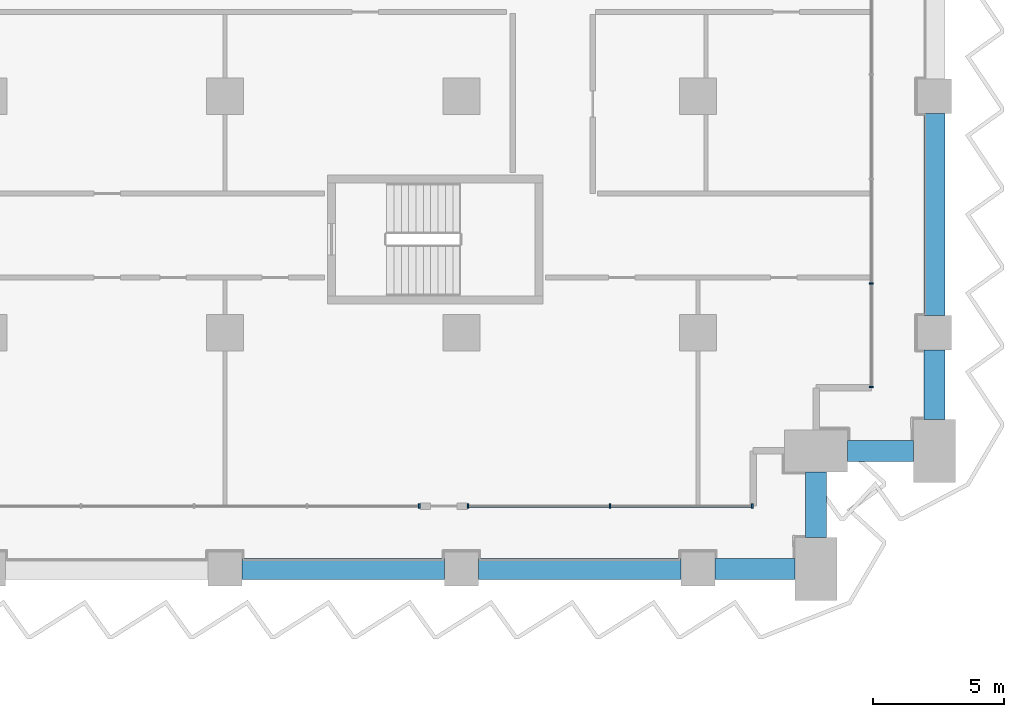
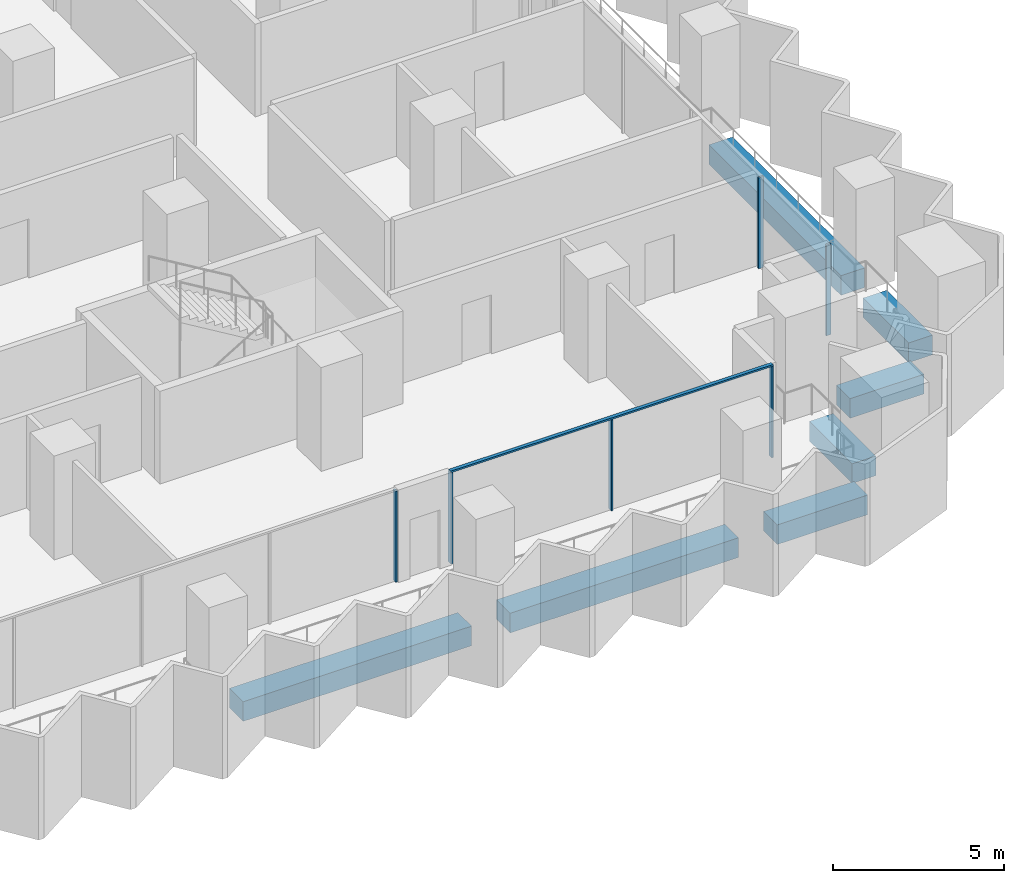
# One storey, part 6 of 28: 7 beams, 7 members, 3 elements without a shape of their own.
"""IFC4 building model written with IfcOpenShell, lengths in metres."""

from ifc_helpers import new_model, si_unit, direction, frame, origin, origin_2d, place, context, subcontext, project, spatial, rectangle, extrude, material, material_profile, profile_set, type_object, element, aggregate, save


model = new_model("IFC4")

# Units and contexts
model_context = context("Model", 3, precision=1e-05, world=origin(), true_north=direction((0.0, 1.0)))
body_context = subcontext(model_context, "Body", "Model", "MODEL_VIEW")
ifc_project = project(units=[si_unit("LENGTHUNIT", "METRE"), si_unit("AREAUNIT", "SQUARE_METRE"), si_unit("VOLUMEUNIT", "CUBIC_METRE"), si_unit("PLANEANGLEUNIT", "RADIAN"), si_unit("MASSUNIT", "GRAM", prefix="KILO")], contexts=[model_context])

# Site, building, storey
site_placement = place(None, origin())
site = spatial("IfcSite", under=ifc_project, at=site_placement, CompositionType="ELEMENT")
building_placement = place(site_placement, origin())
building = spatial("IfcBuilding", under=site, at=building_placement, Name="Hunhe Ridgeline Campus", CompositionType="ELEMENT")
storey_placement = place(building_placement, frame((0.0, 0.0, 72.800048828125)))
storey = spatial("IfcBuildingStorey", under=building, at=storey_placement, Name="L17", CompositionType="ELEMENT", Elevation=72.800048828125)

# Curtain wall, member
ifc_material_1 = material(Name="Aluminium 6063", Category="aluminium")
curtain_wall_type = type_object("IfcCurtainWallType", Name="Curtain wall CW-1", PredefinedType="NOTDEFINED", material=ifc_material_1)
curtain_wall_1_placement = place(storey_placement, origin())
curtain_wall_1 = element("IfcCurtainWall", 1, at=curtain_wall_1_placement, inside=storey, type_object=curtain_wall_type, Name="Curtain wall 13", PredefinedType="NOTDEFINED")
ifc_material_profile_1 = material_profile(ifc_material_1, rectangle(XDim=0.159912109375, YDim=0.06005859375, at=origin_2d()))
ifc_profile_set_1 = profile_set([ifc_material_profile_1], Name="Aluminium 6063")
member_type_1 = type_object("IfcMemberType", Name="CW-1 aluminium mullion", PredefinedType="MULLION", material=ifc_profile_set_1)
member_1_placement = place(storey_placement, frame((79.39404296875, 56.40087890625, 0.0), z_axis=(0.0, 0.0, 1.0), x_axis=(-3.602063e-06, 0.999999999994, 0.0)))
member_1 = element("IfcMember", 2, at=member_1_placement, type_object=member_type_1, Name="CW-1 mullion 9", PredefinedType="MULLION", context=body_context, shape_type="SweptSolid", body=[
    extrude(rectangle(XDim=0.159912109375, YDim=0.06005859375, at=origin_2d()), origin(), (0.0, 0.0, 1.0), 3.239990234375),
])
aggregate(curtain_wall_1, [member_1])

# Curtain wall, members
curtain_wall_2_placement = place(storey_placement, origin())
curtain_wall_2 = element("IfcCurtainWall", 3, at=curtain_wall_2_placement, inside=storey, type_object=curtain_wall_type, Name="Curtain wall 14", PredefinedType="NOTDEFINED")
member_2_placement = place(storey_placement, frame((81.254150390625, 56.40087890625, 0.0), z_axis=(0.0, 0.0, 1.0), x_axis=(-3.58625e-06, 0.999999999994, 0.0)))
member_2 = element("IfcMember", 4, at=member_2_placement, type_object=member_type_1, Name="CW-1 mullion 1", PredefinedType="MULLION", context=body_context, shape_type="SweptSolid", body=[
    extrude(rectangle(XDim=0.159912109375, YDim=0.06005859375, at=origin_2d()), origin(), (0.0, 0.0, 1.0), 3.239990234375),
])
member_3_placement = place(storey_placement, frame((86.66162109375, 56.40087890625, 0.0), z_axis=(0.0, 0.0, 1.0), x_axis=(-3.58625e-06, 0.999999999994, 0.0)))
member_3 = element("IfcMember", 5, at=member_3_placement, type_object=member_type_1, Name="CW-1 mullion 2", PredefinedType="MULLION", context=body_context, shape_type="SweptSolid", body=[
    extrude(rectangle(XDim=0.159912109375, YDim=0.06005859375, at=origin_2d()), origin(), (0.0, 0.0, 1.0), 3.239990234375),
])
member_4_placement = place(storey_placement, frame((92.069091796875, 56.40087890625, 0.0), z_axis=(0.0, 0.0, 1.0), x_axis=(-3.58625e-06, 0.999999999994, 0.0)))
member_4 = element("IfcMember", 6, at=member_4_placement, type_object=member_type_1, Name="CW-1 mullion 3", PredefinedType="MULLION", context=body_context, shape_type="SweptSolid", body=[
    extrude(rectangle(XDim=0.159912109375, YDim=0.06005859375, at=origin_2d()), origin(), (0.0, 0.0, 1.0), 3.239990234375),
])

curtain_wall_3_placement = place(storey_placement, origin())
curtain_wall_3 = element("IfcCurtainWall", 7, at=curtain_wall_3_placement, inside=storey, type_object=curtain_wall_type, Name="Curtain wall 15", PredefinedType="NOTDEFINED")
member_5_placement = place(storey_placement, frame((96.59912109375, 60.930908203125, 0.0), z_axis=(0.0, 0.0, 1.0), x_axis=(-1.0, 0.0, 0.0)))
member_5 = element("IfcMember", 8, at=member_5_placement, type_object=member_type_1, Name="CW-1 mullion 1", PredefinedType="MULLION", context=body_context, shape_type="SweptSolid", body=[
    extrude(rectangle(XDim=0.159912109375, YDim=0.06005859375, at=origin_2d()), origin(), (0.0, 0.0, 1.0), 3.239990234375),
])
member_6_placement = place(storey_placement, frame((96.59912109375, 64.8759765625, 0.0), z_axis=(0.0, 0.0, 1.0), x_axis=(-1.0, 0.0, 0.0)))
member_6 = element("IfcMember", 9, at=member_6_placement, type_object=member_type_1, Name="CW-1 mullion 2", PredefinedType="MULLION", context=body_context, shape_type="SweptSolid", body=[
    extrude(rectangle(XDim=0.159912109375, YDim=0.06005859375, at=origin_2d()), origin(), (0.0, 0.0, 1.0), 3.239990234375),
])
aggregate(curtain_wall_3, [member_5, member_6])

# Member
ifc_material_profile_2 = material_profile(ifc_material_1, rectangle(XDim=0.1201171875, YDim=0.06005859375, at=origin_2d()))
ifc_profile_set_2 = profile_set([ifc_material_profile_2], Name="Aluminium 6063")
member_type_2 = type_object("IfcMemberType", Name="CW-1 aluminium transom", PredefinedType="USERDEFINED", material=ifc_profile_set_2)
member_7_placement = place(storey_placement, frame((81.22412109375, 56.40087890625, 3.27001953125), z_axis=(1.0, 0.0, 0.0), x_axis=(0.0, 1.0, 0.0)))
member_7 = element("IfcMember", 10, at=member_7_placement, type_object=member_type_2, Name="CW-1 transom 1", ObjectType="TRANSOM", PredefinedType="USERDEFINED", context=body_context, shape_type="SweptSolid", body=[
    extrude(rectangle(XDim=0.1201171875, YDim=0.06005859375, at=origin_2d()), origin(), (0.0, 0.0, 1.0), 10.875),
])

aggregate(curtain_wall_2, [member_7, member_2, member_3, member_4])

# Beams
ifc_material_2 = material(Name="Concrete C60", Category="concrete")
ifc_material_profile_3 = material_profile(ifc_material_2, rectangle(XDim=0.800048828125, YDim=0.699951171875, at=origin_2d()))
ifc_profile_set_3 = profile_set([ifc_material_profile_3], Name="Concrete C60")
beam_type = type_object("IfcBeamType", Name="RC spandrel beam 800x700 Concrete C60", PredefinedType="SPANDREL", material=ifc_profile_set_3)
for number, where, z_axis, x_axis, name in (
    (11, (72.64990234375, 54.0, -0.60009765625), (1.0, 0.0, 0.0), (0.0, 1.0, 0.0), "Spandrel beam B1-15 L17"),
    (12, (81.64990234375, 54.0, -0.60009765625), (1.0, 0.0, 0.0), (0.0, 1.0, 0.0), "Spandrel beam B1-16 L17"),
):
    element("IfcBeam", number, at=place(storey_placement, frame(where, z_axis=z_axis, x_axis=x_axis)), inside=storey, type_object=beam_type, Name=name, PredefinedType="SPANDREL", context=body_context, shape_type="SweptSolid", body=[
        extrude(rectangle(XDim=0.800048828125, YDim=0.699951171875, at=origin_2d()), origin(), (0.0, 0.0, 1.0), 7.7001953125),
    ])
beam_1_placement = place(storey_placement, frame((90.64990234375, 54.0, -0.60009765625), z_axis=(1.0, 0.0, 0.0), x_axis=(0.0, 1.0, 0.0)))
element("IfcBeam", 13, at=beam_1_placement, inside=storey, type_object=beam_type, Name="Spandrel beam B1-17 L17", PredefinedType="SPANDREL", context=body_context, shape_type="SweptSolid", body=[
    extrude(rectangle(XDim=0.800048828125, YDim=0.699951171875, at=origin_2d()), origin(), (0.0, 0.0, 1.0), 3.050048828125),
])
for number, where, z_axis, x_axis, name in (
    (14, (94.5, 55.199951171875, -0.60009765625), (0.0, 1.0, 0.0), (-1.0, 0.0, 0.0), "Spandrel beam B1-18 L17"),
    (15, (95.699951171875, 58.5, -0.60009765625), (1.0, 0.0, 0.0), (0.0, 1.0, 0.0), "Spandrel beam B1-19 L17"),
):
    element("IfcBeam", number, at=place(storey_placement, frame(where, z_axis=z_axis, x_axis=x_axis)), inside=storey, type_object=beam_type, Name=name, PredefinedType="SPANDREL", context=body_context, shape_type="SweptSolid", body=[
        extrude(rectangle(XDim=0.800048828125, YDim=0.699951171875, at=origin_2d()), origin(), (0.0, 0.0, 1.0), 2.5),
    ])
beam_2_placement = place(storey_placement, frame((99.0, 59.699951171875, -0.60009765625), z_axis=(0.0, 1.0, 0.0), x_axis=(-1.0, 0.0, 0.0)))
element("IfcBeam", 16, at=beam_2_placement, inside=storey, type_object=beam_type, Name="Spandrel beam B1-20 L17", PredefinedType="SPANDREL", context=body_context, shape_type="SweptSolid", body=[
    extrude(rectangle(XDim=0.800048828125, YDim=0.699951171875, at=origin_2d()), origin(), (0.0, 0.0, 1.0), 2.650146484375),
])
beam_3_placement = place(storey_placement, frame((99.0, 63.64990234375, -0.60009765625), z_axis=(0.0, 1.0, 0.0), x_axis=(-1.0, 0.0, 0.0)))
element("IfcBeam", 17, at=beam_3_placement, inside=storey, type_object=beam_type, Name="Spandrel beam B1-21 L17", PredefinedType="SPANDREL", context=body_context, shape_type="SweptSolid", body=[
    extrude(rectangle(XDim=0.800048828125, YDim=0.699951171875, at=origin_2d()), origin(), (0.0, 0.0, 1.0), 7.7001953125),
])

save(model, "model.ifc")
